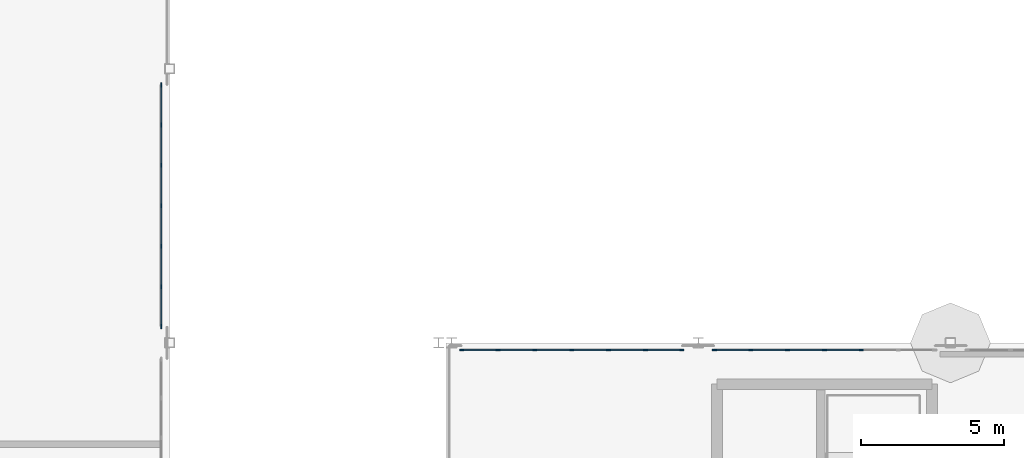
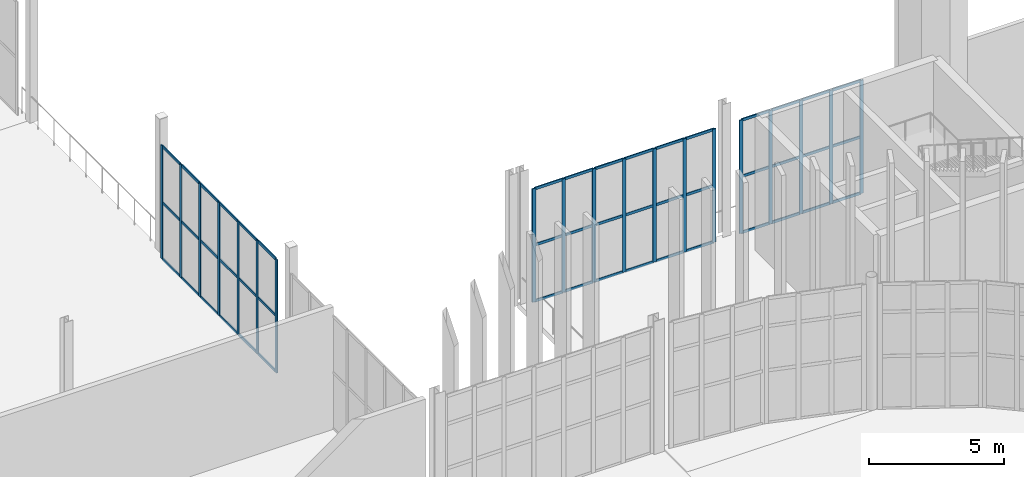
# One storey, part 63 of 139: 67 members, 3 elements without a shape of their own.
"""IFC4 building model written with IfcOpenShell, lengths in metres."""

from ifc_helpers import new_model, si_unit, direction, frame, origin, origin_2d, place, context, subcontext, project, spatial, rectangle, extrude, material, layer, layer_set, material_profile, profile_set, type_object, element, aggregate, save


model = new_model("IFC4")

# Units and contexts
model_context = context("Model", 3, precision=1e-05, world=origin(), true_north=direction((0.0, 1.0)))
body_context = subcontext(model_context, "Body", "Model", "MODEL_VIEW")
ifc_project = project(units=[si_unit("LENGTHUNIT", "METRE"), si_unit("AREAUNIT", "SQUARE_METRE"), si_unit("VOLUMEUNIT", "CUBIC_METRE"), si_unit("PLANEANGLEUNIT", "RADIAN"), si_unit("MASSUNIT", "GRAM", prefix="KILO")], contexts=[model_context])

# Site, building, storey
site_placement = place(None, origin())
site = spatial("IfcSite", under=ifc_project, at=site_placement, CompositionType="ELEMENT")
building_placement = place(site_placement, origin())
building = spatial("IfcBuilding", under=site, at=building_placement, Name="Yeouljin Market Hall", CompositionType="ELEMENT")
storey_placement = place(building_placement, origin())
storey = spatial("IfcBuildingStorey", under=building, at=storey_placement, Name="L00", CompositionType="ELEMENT", Elevation=0.0)

# Curtain wall, members
ifc_material_1 = material(Name="Thermally Broken Aluminium", Category="aluminium")
ifc_layer = layer(ifc_material_1, 0.14990234375)
ifc_layer_set = layer_set([ifc_layer], Name="Thermally Broken Aluminium")
curtain_wall_type = type_object("IfcCurtainWallType", Name="CW_WingStorefront_System", PredefinedType="USERDEFINED", material=ifc_layer_set)
curtain_wall_1_placement = place(storey_placement, origin())
curtain_wall_1 = element("IfcCurtainWall", 1, at=curtain_wall_1_placement, inside=storey, type_object=curtain_wall_type, Name="Curtain wall CW-CRT-L00-09", ObjectType="CURTAIN WALL", PredefinedType="USERDEFINED")
ifc_material_2 = material(Name="Thermally Broken Aluminium", Category="aluminium")
ifc_material_profile_1 = material_profile(ifc_material_2, rectangle(XDim=0.048095703125, YDim=0.14990234375, at=origin_2d()), Name="CW-MULL-48x150")
ifc_profile_set_1 = profile_set([ifc_material_profile_1], Name="Thermally Broken Aluminium")
member_type_1 = type_object("IfcMemberType", Name="CWMullion_48x150", PredefinedType="MULLION", material=ifc_profile_set_1)
member_1_placement = place(storey_placement, frame((141.6240234375, 88.550048828125, 0.0), z_axis=(0.0, 0.0, 1.0), x_axis=(0.0, 1.0, 0.0)))
member_1 = element("IfcMember", 2, at=member_1_placement, type_object=member_type_1, Name="CW-04 mullion 1", PredefinedType="MULLION", context=body_context, shape_type="SweptSolid", body=[
    extrude(rectangle(XDim=0.048095703125, YDim=0.14990234375, at=origin_2d()), origin(), (0.0, 0.0, 1.0), 5.1201171875),
])
member_2_placement = place(storey_placement, frame((142.8916015625, 88.550048828125, 0.0), z_axis=(0.0, 0.0, 1.0), x_axis=(0.0, 1.0, 0.0)))
member_2 = element("IfcMember", 3, at=member_2_placement, type_object=member_type_1, Name="CW-04 mullion 2", PredefinedType="MULLION", context=body_context, shape_type="SweptSolid", body=[
    extrude(rectangle(XDim=0.048095703125, YDim=0.14990234375, at=origin_2d()), origin(), (0.0, 0.0, 1.0), 5.1201171875),
])
member_3_placement = place(storey_placement, frame((144.183349609375, 88.550048828125, 0.0), z_axis=(0.0, 0.0, 1.0), x_axis=(0.0, 1.0, 0.0)))
member_3 = element("IfcMember", 4, at=member_3_placement, type_object=member_type_1, Name="CW-04 mullion 3", PredefinedType="MULLION", context=body_context, shape_type="SweptSolid", body=[
    extrude(rectangle(XDim=0.048095703125, YDim=0.14990234375, at=origin_2d()), origin(), (0.0, 0.0, 1.0), 5.1201171875),
])
member_4_placement = place(storey_placement, frame((145.47509765625, 88.550048828125, 0.0), z_axis=(0.0, 0.0, 1.0), x_axis=(0.0, 1.0, 0.0)))
member_4 = element("IfcMember", 5, at=member_4_placement, type_object=member_type_1, Name="CW-04 mullion 4", PredefinedType="MULLION", context=body_context, shape_type="SweptSolid", body=[
    extrude(rectangle(XDim=0.048095703125, YDim=0.14990234375, at=origin_2d()), origin(), (0.0, 0.0, 1.0), 5.1201171875),
])
member_5_placement = place(storey_placement, frame((146.7666015625, 88.550048828125, 0.0), z_axis=(0.0, 0.0, 1.0), x_axis=(0.0, 1.0, 0.0)))
member_5 = element("IfcMember", 6, at=member_5_placement, type_object=member_type_1, Name="CW-04 mullion 5", PredefinedType="MULLION", context=body_context, shape_type="SweptSolid", body=[
    extrude(rectangle(XDim=0.048095703125, YDim=0.14990234375, at=origin_2d()), origin(), (0.0, 0.0, 1.0), 5.1201171875),
])
member_6_placement = place(storey_placement, frame((148.058349609375, 88.550048828125, 0.0), z_axis=(0.0, 0.0, 1.0), x_axis=(0.0, 1.0, 0.0)))
member_6 = element("IfcMember", 7, at=member_6_placement, type_object=member_type_1, Name="CW-04 mullion 6", PredefinedType="MULLION", context=body_context, shape_type="SweptSolid", body=[
    extrude(rectangle(XDim=0.048095703125, YDim=0.14990234375, at=origin_2d()), origin(), (0.0, 0.0, 1.0), 5.1201171875),
])
member_7_placement = place(storey_placement, frame((149.325927734375, 88.550048828125, 0.0), z_axis=(0.0, 0.0, 1.0), x_axis=(0.0, 1.0, 0.0)))
member_7 = element("IfcMember", 8, at=member_7_placement, type_object=member_type_1, Name="CW-04 mullion 7", PredefinedType="MULLION", context=body_context, shape_type="SweptSolid", body=[
    extrude(rectangle(XDim=0.048095703125, YDim=0.14990234375, at=origin_2d()), origin(), (0.0, 0.0, 1.0), 5.1201171875),
])

curtain_wall_2_placement = place(storey_placement, origin())
curtain_wall_2 = element("IfcCurtainWall", 9, at=curtain_wall_2_placement, inside=storey, type_object=curtain_wall_type, Name="Curtain wall CW-CRT-L00-10", ObjectType="CURTAIN WALL", PredefinedType="USERDEFINED")
member_8_placement = place(storey_placement, frame((150.47412109375, 88.550048828125, 0.0), z_axis=(0.0, 0.0, 1.0), x_axis=(0.0, 1.0, 0.0)))
member_8 = element("IfcMember", 10, at=member_8_placement, type_object=member_type_1, Name="CW-04 mullion 1", PredefinedType="MULLION", context=body_context, shape_type="SweptSolid", body=[
    extrude(rectangle(XDim=0.048095703125, YDim=0.14990234375, at=origin_2d()), origin(), (0.0, 0.0, 1.0), 5.1201171875),
])
member_9_placement = place(storey_placement, frame((151.74169921875, 88.550048828125, 0.0), z_axis=(0.0, 0.0, 1.0), x_axis=(0.0, 1.0, 0.0)))
member_9 = element("IfcMember", 11, at=member_9_placement, type_object=member_type_1, Name="CW-04 mullion 2", PredefinedType="MULLION", context=body_context, shape_type="SweptSolid", body=[
    extrude(rectangle(XDim=0.048095703125, YDim=0.14990234375, at=origin_2d()), origin(), (0.0, 0.0, 1.0), 5.1201171875),
])
member_10_placement = place(storey_placement, frame((153.033447265625, 88.550048828125, 0.0), z_axis=(0.0, 0.0, 1.0), x_axis=(0.0, 1.0, 0.0)))
member_10 = element("IfcMember", 12, at=member_10_placement, type_object=member_type_1, Name="CW-04 mullion 3", PredefinedType="MULLION", context=body_context, shape_type="SweptSolid", body=[
    extrude(rectangle(XDim=0.048095703125, YDim=0.14990234375, at=origin_2d()), origin(), (0.0, 0.0, 1.0), 5.1201171875),
])
member_11_placement = place(storey_placement, frame((154.324951171875, 88.550048828125, 0.0), z_axis=(0.0, 0.0, 1.0), x_axis=(0.0, 1.0, 0.0)))
member_11 = element("IfcMember", 13, at=member_11_placement, type_object=member_type_1, Name="CW-04 mullion 4", PredefinedType="MULLION", context=body_context, shape_type="SweptSolid", body=[
    extrude(rectangle(XDim=0.048095703125, YDim=0.14990234375, at=origin_2d()), origin(), (0.0, 0.0, 1.0), 5.1201171875),
])
member_12_placement = place(storey_placement, frame((155.61669921875, 88.550048828125, 0.0), z_axis=(0.0, 0.0, 1.0), x_axis=(0.0, 1.0, 0.0)))
member_12 = element("IfcMember", 14, at=member_12_placement, type_object=member_type_1, Name="CW-04 mullion 5", PredefinedType="MULLION", context=body_context, shape_type="SweptSolid", body=[
    extrude(rectangle(XDim=0.048095703125, YDim=0.14990234375, at=origin_2d()), origin(), (0.0, 0.0, 1.0), 5.1201171875),
])

curtain_wall_3_placement = place(storey_placement, origin())
curtain_wall_3 = element("IfcCurtainWall", 15, at=curtain_wall_3_placement, inside=storey, type_object=curtain_wall_type, Name="Curtain wall CW-CRT-L00-19", ObjectType="CURTAIN WALL", PredefinedType="USERDEFINED")
member_13_placement = place(storey_placement, frame((131.10009765625, 97.825927734375, 0.0), z_axis=(0.0, 0.0, 1.0), x_axis=(1.0, 0.0, 0.0)))
member_13 = element("IfcMember", 16, at=member_13_placement, type_object=member_type_1, Name="CW-04 mullion 1", PredefinedType="MULLION", context=body_context, shape_type="SweptSolid", body=[
    extrude(rectangle(XDim=0.048095703125, YDim=0.14990234375, at=origin_2d()), origin(), (0.0, 0.0, 1.0), 5.1201171875),
])
member_14_placement = place(storey_placement, frame((131.10009765625, 96.433349609375, 0.0), z_axis=(0.0, 0.0, 1.0), x_axis=(1.0, 0.0, 0.0)))
member_14 = element("IfcMember", 17, at=member_14_placement, type_object=member_type_1, Name="CW-04 mullion 2", PredefinedType="MULLION", context=body_context, shape_type="SweptSolid", body=[
    extrude(rectangle(XDim=0.048095703125, YDim=0.14990234375, at=origin_2d()), origin(), (0.0, 0.0, 1.0), 5.1201171875),
])
member_15_placement = place(storey_placement, frame((131.10009765625, 95.0166015625, 0.0), z_axis=(0.0, 0.0, 1.0), x_axis=(1.0, 0.0, 0.0)))
member_15 = element("IfcMember", 18, at=member_15_placement, type_object=member_type_1, Name="CW-04 mullion 3", PredefinedType="MULLION", context=body_context, shape_type="SweptSolid", body=[
    extrude(rectangle(XDim=0.048095703125, YDim=0.14990234375, at=origin_2d()), origin(), (0.0, 0.0, 1.0), 5.1201171875),
])
member_16_placement = place(storey_placement, frame((131.10009765625, 93.60009765625, 0.0), z_axis=(0.0, 0.0, 1.0), x_axis=(1.0, 0.0, 0.0)))
member_16 = element("IfcMember", 19, at=member_16_placement, type_object=member_type_1, Name="CW-04 mullion 4", PredefinedType="MULLION", context=body_context, shape_type="SweptSolid", body=[
    extrude(rectangle(XDim=0.048095703125, YDim=0.14990234375, at=origin_2d()), origin(), (0.0, 0.0, 1.0), 5.1201171875),
])
member_17_placement = place(storey_placement, frame((131.10009765625, 92.183349609375, 0.0), z_axis=(0.0, 0.0, 1.0), x_axis=(1.0, 0.0, 0.0)))
member_17 = element("IfcMember", 20, at=member_17_placement, type_object=member_type_1, Name="CW-04 mullion 5", PredefinedType="MULLION", context=body_context, shape_type="SweptSolid", body=[
    extrude(rectangle(XDim=0.048095703125, YDim=0.14990234375, at=origin_2d()), origin(), (0.0, 0.0, 1.0), 5.1201171875),
])
member_18_placement = place(storey_placement, frame((131.10009765625, 90.7666015625, 0.0), z_axis=(0.0, 0.0, 1.0), x_axis=(1.0, 0.0, 0.0)))
member_18 = element("IfcMember", 21, at=member_18_placement, type_object=member_type_1, Name="CW-04 mullion 6", PredefinedType="MULLION", context=body_context, shape_type="SweptSolid", body=[
    extrude(rectangle(XDim=0.048095703125, YDim=0.14990234375, at=origin_2d()), origin(), (0.0, 0.0, 1.0), 5.1201171875),
])
member_19_placement = place(storey_placement, frame((131.10009765625, 89.3740234375, 0.0), z_axis=(0.0, 0.0, 1.0), x_axis=(1.0, 0.0, 0.0)))
member_19 = element("IfcMember", 22, at=member_19_placement, type_object=member_type_1, Name="CW-04 mullion 7", PredefinedType="MULLION", context=body_context, shape_type="SweptSolid", body=[
    extrude(rectangle(XDim=0.048095703125, YDim=0.14990234375, at=origin_2d()), origin(), (0.0, 0.0, 1.0), 5.1201171875),
])

# Member
ifc_material_3 = material(Name="Thermally Broken Aluminium", Category="aluminium")
ifc_material_profile_2 = material_profile(ifc_material_3, rectangle(XDim=0.048095703125, YDim=0.1201171875, at=origin_2d()), Name="CW-TRAN-48x120")
ifc_profile_set_2 = profile_set([ifc_material_profile_2], Name="Thermally Broken Aluminium")
member_type_2 = type_object("IfcMemberType", Name="CWTransom_48x120", PredefinedType="USERDEFINED", material=ifc_profile_set_2)
member_20_placement = place(storey_placement, frame((141.64794921875, 88.550048828125, 0.02392578125), z_axis=(1.0, 0.0, 0.0), x_axis=(0.0, 1.0, 0.0)))
member_20 = element("IfcMember", 23, at=member_20_placement, type_object=member_type_2, Name="CW-04 transom 1.1", ObjectType="TRANSOM", PredefinedType="USERDEFINED", context=body_context, shape_type="SweptSolid", body=[
    extrude(rectangle(XDim=0.048095703125, YDim=0.1201171875, at=origin_2d()), origin(), (0.0, 0.0, 1.0), 1.2197265625),
])

member_21_placement = place(storey_placement, frame((141.64794921875, 88.550048828125, 2.56005859375), z_axis=(1.0, 0.0, 0.0), x_axis=(0.0, 1.0, 0.0)))
member_21 = element("IfcMember", 24, at=member_21_placement, type_object=member_type_2, Name="CW-04 transom 1.2", ObjectType="TRANSOM", PredefinedType="USERDEFINED", context=body_context, shape_type="SweptSolid", body=[
    extrude(rectangle(XDim=0.048095703125, YDim=0.1201171875, at=origin_2d()), origin(), (0.0, 0.0, 1.0), 1.2197265625),
])

member_22_placement = place(storey_placement, frame((141.64794921875, 88.550048828125, 5.095947265625), z_axis=(1.0, 0.0, 0.0), x_axis=(0.0, 1.0, 0.0)))
member_22 = element("IfcMember", 25, at=member_22_placement, type_object=member_type_2, Name="CW-04 transom 1.3", ObjectType="TRANSOM", PredefinedType="USERDEFINED", context=body_context, shape_type="SweptSolid", body=[
    extrude(rectangle(XDim=0.048095703125, YDim=0.1201171875, at=origin_2d()), origin(), (0.0, 0.0, 1.0), 1.2197265625),
])

member_23_placement = place(storey_placement, frame((142.915771484375, 88.550048828125, 0.02392578125), z_axis=(1.0, 0.0, 0.0), x_axis=(0.0, 1.0, 0.0)))
member_23 = element("IfcMember", 26, at=member_23_placement, type_object=member_type_2, Name="CW-04 transom 2.1", ObjectType="TRANSOM", PredefinedType="USERDEFINED", context=body_context, shape_type="SweptSolid", body=[
    extrude(rectangle(XDim=0.048095703125, YDim=0.1201171875, at=origin_2d()), origin(), (0.0, 0.0, 1.0), 1.24365234375),
])

member_24_placement = place(storey_placement, frame((142.915771484375, 88.550048828125, 2.56005859375), z_axis=(1.0, 0.0, 0.0), x_axis=(0.0, 1.0, 0.0)))
member_24 = element("IfcMember", 27, at=member_24_placement, type_object=member_type_2, Name="CW-04 transom 2.2", ObjectType="TRANSOM", PredefinedType="USERDEFINED", context=body_context, shape_type="SweptSolid", body=[
    extrude(rectangle(XDim=0.048095703125, YDim=0.1201171875, at=origin_2d()), origin(), (0.0, 0.0, 1.0), 1.24365234375),
])

member_25_placement = place(storey_placement, frame((142.915771484375, 88.550048828125, 5.095947265625), z_axis=(1.0, 0.0, 0.0), x_axis=(0.0, 1.0, 0.0)))
member_25 = element("IfcMember", 28, at=member_25_placement, type_object=member_type_2, Name="CW-04 transom 2.3", ObjectType="TRANSOM", PredefinedType="USERDEFINED", context=body_context, shape_type="SweptSolid", body=[
    extrude(rectangle(XDim=0.048095703125, YDim=0.1201171875, at=origin_2d()), origin(), (0.0, 0.0, 1.0), 1.24365234375),
])

member_26_placement = place(storey_placement, frame((144.207275390625, 88.550048828125, 0.02392578125), z_axis=(1.0, 0.0, 0.0), x_axis=(0.0, 1.0, 0.0)))
member_26 = element("IfcMember", 29, at=member_26_placement, type_object=member_type_2, Name="CW-04 transom 3.1", ObjectType="TRANSOM", PredefinedType="USERDEFINED", context=body_context, shape_type="SweptSolid", body=[
    extrude(rectangle(XDim=0.048095703125, YDim=0.1201171875, at=origin_2d()), origin(), (0.0, 0.0, 1.0), 1.24365234375),
])

member_27_placement = place(storey_placement, frame((144.207275390625, 88.550048828125, 2.56005859375), z_axis=(1.0, 0.0, 0.0), x_axis=(0.0, 1.0, 0.0)))
member_27 = element("IfcMember", 30, at=member_27_placement, type_object=member_type_2, Name="CW-04 transom 3.2", ObjectType="TRANSOM", PredefinedType="USERDEFINED", context=body_context, shape_type="SweptSolid", body=[
    extrude(rectangle(XDim=0.048095703125, YDim=0.1201171875, at=origin_2d()), origin(), (0.0, 0.0, 1.0), 1.24365234375),
])

member_28_placement = place(storey_placement, frame((144.207275390625, 88.550048828125, 5.095947265625), z_axis=(1.0, 0.0, 0.0), x_axis=(0.0, 1.0, 0.0)))
member_28 = element("IfcMember", 31, at=member_28_placement, type_object=member_type_2, Name="CW-04 transom 3.3", ObjectType="TRANSOM", PredefinedType="USERDEFINED", context=body_context, shape_type="SweptSolid", body=[
    extrude(rectangle(XDim=0.048095703125, YDim=0.1201171875, at=origin_2d()), origin(), (0.0, 0.0, 1.0), 1.24365234375),
])

member_29_placement = place(storey_placement, frame((145.4990234375, 88.550048828125, 0.02392578125), z_axis=(1.0, 0.0, 0.0), x_axis=(0.0, 1.0, 0.0)))
member_29 = element("IfcMember", 32, at=member_29_placement, type_object=member_type_2, Name="CW-04 transom 4.1", ObjectType="TRANSOM", PredefinedType="USERDEFINED", context=body_context, shape_type="SweptSolid", body=[
    extrude(rectangle(XDim=0.048095703125, YDim=0.1201171875, at=origin_2d()), origin(), (0.0, 0.0, 1.0), 1.24365234375),
])

member_30_placement = place(storey_placement, frame((145.4990234375, 88.550048828125, 2.56005859375), z_axis=(1.0, 0.0, 0.0), x_axis=(0.0, 1.0, 0.0)))
member_30 = element("IfcMember", 33, at=member_30_placement, type_object=member_type_2, Name="CW-04 transom 4.2", ObjectType="TRANSOM", PredefinedType="USERDEFINED", context=body_context, shape_type="SweptSolid", body=[
    extrude(rectangle(XDim=0.048095703125, YDim=0.1201171875, at=origin_2d()), origin(), (0.0, 0.0, 1.0), 1.24365234375),
])

member_31_placement = place(storey_placement, frame((145.4990234375, 88.550048828125, 5.095947265625), z_axis=(1.0, 0.0, 0.0), x_axis=(0.0, 1.0, 0.0)))
member_31 = element("IfcMember", 34, at=member_31_placement, type_object=member_type_2, Name="CW-04 transom 4.3", ObjectType="TRANSOM", PredefinedType="USERDEFINED", context=body_context, shape_type="SweptSolid", body=[
    extrude(rectangle(XDim=0.048095703125, YDim=0.1201171875, at=origin_2d()), origin(), (0.0, 0.0, 1.0), 1.24365234375),
])

member_32_placement = place(storey_placement, frame((146.790771484375, 88.550048828125, 0.02392578125), z_axis=(1.0, 0.0, 0.0), x_axis=(0.0, 1.0, 0.0)))
member_32 = element("IfcMember", 35, at=member_32_placement, type_object=member_type_2, Name="CW-04 transom 5.1", ObjectType="TRANSOM", PredefinedType="USERDEFINED", context=body_context, shape_type="SweptSolid", body=[
    extrude(rectangle(XDim=0.048095703125, YDim=0.1201171875, at=origin_2d()), origin(), (0.0, 0.0, 1.0), 1.24365234375),
])

member_33_placement = place(storey_placement, frame((146.790771484375, 88.550048828125, 2.56005859375), z_axis=(1.0, 0.0, 0.0), x_axis=(0.0, 1.0, 0.0)))
member_33 = element("IfcMember", 36, at=member_33_placement, type_object=member_type_2, Name="CW-04 transom 5.2", ObjectType="TRANSOM", PredefinedType="USERDEFINED", context=body_context, shape_type="SweptSolid", body=[
    extrude(rectangle(XDim=0.048095703125, YDim=0.1201171875, at=origin_2d()), origin(), (0.0, 0.0, 1.0), 1.24365234375),
])

member_34_placement = place(storey_placement, frame((146.790771484375, 88.550048828125, 5.095947265625), z_axis=(1.0, 0.0, 0.0), x_axis=(0.0, 1.0, 0.0)))
member_34 = element("IfcMember", 37, at=member_34_placement, type_object=member_type_2, Name="CW-04 transom 5.3", ObjectType="TRANSOM", PredefinedType="USERDEFINED", context=body_context, shape_type="SweptSolid", body=[
    extrude(rectangle(XDim=0.048095703125, YDim=0.1201171875, at=origin_2d()), origin(), (0.0, 0.0, 1.0), 1.24365234375),
])

member_35_placement = place(storey_placement, frame((148.082275390625, 88.550048828125, 0.02392578125), z_axis=(1.0, 0.0, 0.0), x_axis=(0.0, 1.0, 0.0)))
member_35 = element("IfcMember", 38, at=member_35_placement, type_object=member_type_2, Name="CW-04 transom 6.1", ObjectType="TRANSOM", PredefinedType="USERDEFINED", context=body_context, shape_type="SweptSolid", body=[
    extrude(rectangle(XDim=0.048095703125, YDim=0.1201171875, at=origin_2d()), origin(), (0.0, 0.0, 1.0), 1.2197265625),
])

member_36_placement = place(storey_placement, frame((148.082275390625, 88.550048828125, 2.56005859375), z_axis=(1.0, 0.0, 0.0), x_axis=(0.0, 1.0, 0.0)))
member_36 = element("IfcMember", 39, at=member_36_placement, type_object=member_type_2, Name="CW-04 transom 6.2", ObjectType="TRANSOM", PredefinedType="USERDEFINED", context=body_context, shape_type="SweptSolid", body=[
    extrude(rectangle(XDim=0.048095703125, YDim=0.1201171875, at=origin_2d()), origin(), (0.0, 0.0, 1.0), 1.2197265625),
])

member_37_placement = place(storey_placement, frame((148.082275390625, 88.550048828125, 5.095947265625), z_axis=(1.0, 0.0, 0.0), x_axis=(0.0, 1.0, 0.0)))
member_37 = element("IfcMember", 40, at=member_37_placement, type_object=member_type_2, Name="CW-04 transom 6.3", ObjectType="TRANSOM", PredefinedType="USERDEFINED", context=body_context, shape_type="SweptSolid", body=[
    extrude(rectangle(XDim=0.048095703125, YDim=0.1201171875, at=origin_2d()), origin(), (0.0, 0.0, 1.0), 1.2197265625),
])

aggregate(curtain_wall_1, [member_1, member_2, member_3, member_4, member_5, member_6, member_7, member_20, member_21, member_22, member_23, member_24, member_25, member_26, member_27, member_28, member_29, member_30, member_31, member_32, member_33, member_34, member_35, member_36, member_37])

member_38_placement = place(storey_placement, frame((150.498046875, 88.550048828125, 0.02392578125), z_axis=(1.0, 0.0, 0.0), x_axis=(0.0, 1.0, 0.0)))
member_38 = element("IfcMember", 41, at=member_38_placement, type_object=member_type_2, Name="CW-04 transom 1.1", ObjectType="TRANSOM", PredefinedType="USERDEFINED", context=body_context, shape_type="SweptSolid", body=[
    extrude(rectangle(XDim=0.048095703125, YDim=0.1201171875, at=origin_2d()), origin(), (0.0, 0.0, 1.0), 1.2197265625),
])

member_39_placement = place(storey_placement, frame((150.498046875, 88.550048828125, 2.56005859375), z_axis=(1.0, 0.0, 0.0), x_axis=(0.0, 1.0, 0.0)))
member_39 = element("IfcMember", 42, at=member_39_placement, type_object=member_type_2, Name="CW-04 transom 1.2", ObjectType="TRANSOM", PredefinedType="USERDEFINED", context=body_context, shape_type="SweptSolid", body=[
    extrude(rectangle(XDim=0.048095703125, YDim=0.1201171875, at=origin_2d()), origin(), (0.0, 0.0, 1.0), 1.2197265625),
])

member_40_placement = place(storey_placement, frame((150.498046875, 88.550048828125, 5.095947265625), z_axis=(1.0, 0.0, 0.0), x_axis=(0.0, 1.0, 0.0)))
member_40 = element("IfcMember", 43, at=member_40_placement, type_object=member_type_2, Name="CW-04 transom 1.3", ObjectType="TRANSOM", PredefinedType="USERDEFINED", context=body_context, shape_type="SweptSolid", body=[
    extrude(rectangle(XDim=0.048095703125, YDim=0.1201171875, at=origin_2d()), origin(), (0.0, 0.0, 1.0), 1.2197265625),
])

member_41_placement = place(storey_placement, frame((151.765625, 88.550048828125, 0.02392578125), z_axis=(1.0, 0.0, 0.0), x_axis=(0.0, 1.0, 0.0)))
member_41 = element("IfcMember", 44, at=member_41_placement, type_object=member_type_2, Name="CW-04 transom 2.1", ObjectType="TRANSOM", PredefinedType="USERDEFINED", context=body_context, shape_type="SweptSolid", body=[
    extrude(rectangle(XDim=0.048095703125, YDim=0.1201171875, at=origin_2d()), origin(), (0.0, 0.0, 1.0), 1.24365234375),
])

member_42_placement = place(storey_placement, frame((151.765625, 88.550048828125, 2.56005859375), z_axis=(1.0, 0.0, 0.0), x_axis=(0.0, 1.0, 0.0)))
member_42 = element("IfcMember", 45, at=member_42_placement, type_object=member_type_2, Name="CW-04 transom 2.2", ObjectType="TRANSOM", PredefinedType="USERDEFINED", context=body_context, shape_type="SweptSolid", body=[
    extrude(rectangle(XDim=0.048095703125, YDim=0.1201171875, at=origin_2d()), origin(), (0.0, 0.0, 1.0), 1.24365234375),
])

member_43_placement = place(storey_placement, frame((151.765625, 88.550048828125, 5.095947265625), z_axis=(1.0, 0.0, 0.0), x_axis=(0.0, 1.0, 0.0)))
member_43 = element("IfcMember", 46, at=member_43_placement, type_object=member_type_2, Name="CW-04 transom 2.3", ObjectType="TRANSOM", PredefinedType="USERDEFINED", context=body_context, shape_type="SweptSolid", body=[
    extrude(rectangle(XDim=0.048095703125, YDim=0.1201171875, at=origin_2d()), origin(), (0.0, 0.0, 1.0), 1.24365234375),
])

member_44_placement = place(storey_placement, frame((153.057373046875, 88.550048828125, 0.02392578125), z_axis=(1.0, 0.0, 0.0), x_axis=(0.0, 1.0, 0.0)))
member_44 = element("IfcMember", 47, at=member_44_placement, type_object=member_type_2, Name="CW-04 transom 3.1", ObjectType="TRANSOM", PredefinedType="USERDEFINED", context=body_context, shape_type="SweptSolid", body=[
    extrude(rectangle(XDim=0.048095703125, YDim=0.1201171875, at=origin_2d()), origin(), (0.0, 0.0, 1.0), 1.24365234375),
])

member_45_placement = place(storey_placement, frame((153.057373046875, 88.550048828125, 2.56005859375), z_axis=(1.0, 0.0, 0.0), x_axis=(0.0, 1.0, 0.0)))
member_45 = element("IfcMember", 48, at=member_45_placement, type_object=member_type_2, Name="CW-04 transom 3.2", ObjectType="TRANSOM", PredefinedType="USERDEFINED", context=body_context, shape_type="SweptSolid", body=[
    extrude(rectangle(XDim=0.048095703125, YDim=0.1201171875, at=origin_2d()), origin(), (0.0, 0.0, 1.0), 1.24365234375),
])

member_46_placement = place(storey_placement, frame((153.057373046875, 88.550048828125, 5.095947265625), z_axis=(1.0, 0.0, 0.0), x_axis=(0.0, 1.0, 0.0)))
member_46 = element("IfcMember", 49, at=member_46_placement, type_object=member_type_2, Name="CW-04 transom 3.3", ObjectType="TRANSOM", PredefinedType="USERDEFINED", context=body_context, shape_type="SweptSolid", body=[
    extrude(rectangle(XDim=0.048095703125, YDim=0.1201171875, at=origin_2d()), origin(), (0.0, 0.0, 1.0), 1.24365234375),
])

member_47_placement = place(storey_placement, frame((154.34912109375, 88.550048828125, 0.02392578125), z_axis=(1.0, 0.0, 0.0), x_axis=(0.0, 1.0, 0.0)))
member_47 = element("IfcMember", 50, at=member_47_placement, type_object=member_type_2, Name="CW-04 transom 4.1", ObjectType="TRANSOM", PredefinedType="USERDEFINED", context=body_context, shape_type="SweptSolid", body=[
    extrude(rectangle(XDim=0.048095703125, YDim=0.1201171875, at=origin_2d()), origin(), (0.0, 0.0, 1.0), 1.24365234375),
])

member_48_placement = place(storey_placement, frame((154.34912109375, 88.550048828125, 2.56005859375), z_axis=(1.0, 0.0, 0.0), x_axis=(0.0, 1.0, 0.0)))
member_48 = element("IfcMember", 51, at=member_48_placement, type_object=member_type_2, Name="CW-04 transom 4.2", ObjectType="TRANSOM", PredefinedType="USERDEFINED", context=body_context, shape_type="SweptSolid", body=[
    extrude(rectangle(XDim=0.048095703125, YDim=0.1201171875, at=origin_2d()), origin(), (0.0, 0.0, 1.0), 1.24365234375),
])

member_49_placement = place(storey_placement, frame((154.34912109375, 88.550048828125, 5.095947265625), z_axis=(1.0, 0.0, 0.0), x_axis=(0.0, 1.0, 0.0)))
member_49 = element("IfcMember", 52, at=member_49_placement, type_object=member_type_2, Name="CW-04 transom 4.3", ObjectType="TRANSOM", PredefinedType="USERDEFINED", context=body_context, shape_type="SweptSolid", body=[
    extrude(rectangle(XDim=0.048095703125, YDim=0.1201171875, at=origin_2d()), origin(), (0.0, 0.0, 1.0), 1.24365234375),
])

aggregate(curtain_wall_2, [member_8, member_9, member_10, member_11, member_12, member_38, member_39, member_40, member_41, member_42, member_43, member_44, member_45, member_46, member_47, member_48, member_49])

member_50_placement = place(storey_placement, frame((131.10009765625, 97.802001953125, 0.02392578125), z_axis=(0.0, -1.0, 0.0), x_axis=(1.0, 0.0, 0.0)))
member_50 = element("IfcMember", 53, at=member_50_placement, type_object=member_type_2, Name="CW-04 transom 1.1", ObjectType="TRANSOM", PredefinedType="USERDEFINED", context=body_context, shape_type="SweptSolid", body=[
    extrude(rectangle(XDim=0.048095703125, YDim=0.1201171875, at=origin_2d()), origin(), (0.0, 0.0, 1.0), 1.3447265625),
])

member_51_placement = place(storey_placement, frame((131.10009765625, 97.802001953125, 2.56005859375), z_axis=(0.0, -1.0, 0.0), x_axis=(1.0, 0.0, 0.0)))
member_51 = element("IfcMember", 54, at=member_51_placement, type_object=member_type_2, Name="CW-04 transom 1.2", ObjectType="TRANSOM", PredefinedType="USERDEFINED", context=body_context, shape_type="SweptSolid", body=[
    extrude(rectangle(XDim=0.048095703125, YDim=0.1201171875, at=origin_2d()), origin(), (0.0, 0.0, 1.0), 1.3447265625),
])

member_52_placement = place(storey_placement, frame((131.10009765625, 97.802001953125, 5.095947265625), z_axis=(0.0, -1.0, 0.0), x_axis=(1.0, 0.0, 0.0)))
member_52 = element("IfcMember", 55, at=member_52_placement, type_object=member_type_2, Name="CW-04 transom 1.3", ObjectType="TRANSOM", PredefinedType="USERDEFINED", context=body_context, shape_type="SweptSolid", body=[
    extrude(rectangle(XDim=0.048095703125, YDim=0.1201171875, at=origin_2d()), origin(), (0.0, 0.0, 1.0), 1.3447265625),
])

member_53_placement = place(storey_placement, frame((131.10009765625, 96.409423828125, 0.02392578125), z_axis=(0.0, -1.0, 0.0), x_axis=(1.0, 0.0, 0.0)))
member_53 = element("IfcMember", 56, at=member_53_placement, type_object=member_type_2, Name="CW-04 transom 2.1", ObjectType="TRANSOM", PredefinedType="USERDEFINED", context=body_context, shape_type="SweptSolid", body=[
    extrude(rectangle(XDim=0.048095703125, YDim=0.1201171875, at=origin_2d()), origin(), (0.0, 0.0, 1.0), 1.36865234375),
])

member_54_placement = place(storey_placement, frame((131.10009765625, 96.409423828125, 2.56005859375), z_axis=(0.0, -1.0, 0.0), x_axis=(1.0, 0.0, 0.0)))
member_54 = element("IfcMember", 57, at=member_54_placement, type_object=member_type_2, Name="CW-04 transom 2.2", ObjectType="TRANSOM", PredefinedType="USERDEFINED", context=body_context, shape_type="SweptSolid", body=[
    extrude(rectangle(XDim=0.048095703125, YDim=0.1201171875, at=origin_2d()), origin(), (0.0, 0.0, 1.0), 1.36865234375),
])

member_55_placement = place(storey_placement, frame((131.10009765625, 96.409423828125, 5.095947265625), z_axis=(0.0, -1.0, 0.0), x_axis=(1.0, 0.0, 0.0)))
member_55 = element("IfcMember", 58, at=member_55_placement, type_object=member_type_2, Name="CW-04 transom 2.3", ObjectType="TRANSOM", PredefinedType="USERDEFINED", context=body_context, shape_type="SweptSolid", body=[
    extrude(rectangle(XDim=0.048095703125, YDim=0.1201171875, at=origin_2d()), origin(), (0.0, 0.0, 1.0), 1.36865234375),
])

member_56_placement = place(storey_placement, frame((131.10009765625, 94.99267578125, 0.02392578125), z_axis=(0.0, -1.0, 0.0), x_axis=(1.0, 0.0, 0.0)))
member_56 = element("IfcMember", 59, at=member_56_placement, type_object=member_type_2, Name="CW-04 transom 3.1", ObjectType="TRANSOM", PredefinedType="USERDEFINED", context=body_context, shape_type="SweptSolid", body=[
    extrude(rectangle(XDim=0.048095703125, YDim=0.1201171875, at=origin_2d()), origin(), (0.0, 0.0, 1.0), 1.36865234375),
])

member_57_placement = place(storey_placement, frame((131.10009765625, 94.99267578125, 2.56005859375), z_axis=(0.0, -1.0, 0.0), x_axis=(1.0, 0.0, 0.0)))
member_57 = element("IfcMember", 60, at=member_57_placement, type_object=member_type_2, Name="CW-04 transom 3.2", ObjectType="TRANSOM", PredefinedType="USERDEFINED", context=body_context, shape_type="SweptSolid", body=[
    extrude(rectangle(XDim=0.048095703125, YDim=0.1201171875, at=origin_2d()), origin(), (0.0, 0.0, 1.0), 1.36865234375),
])

member_58_placement = place(storey_placement, frame((131.10009765625, 94.99267578125, 5.095947265625), z_axis=(0.0, -1.0, 0.0), x_axis=(1.0, 0.0, 0.0)))
member_58 = element("IfcMember", 61, at=member_58_placement, type_object=member_type_2, Name="CW-04 transom 3.3", ObjectType="TRANSOM", PredefinedType="USERDEFINED", context=body_context, shape_type="SweptSolid", body=[
    extrude(rectangle(XDim=0.048095703125, YDim=0.1201171875, at=origin_2d()), origin(), (0.0, 0.0, 1.0), 1.36865234375),
])

member_59_placement = place(storey_placement, frame((131.10009765625, 93.575927734375, 0.02392578125), z_axis=(0.0, -1.0, 0.0), x_axis=(1.0, 0.0, 0.0)))
member_59 = element("IfcMember", 62, at=member_59_placement, type_object=member_type_2, Name="CW-04 transom 4.1", ObjectType="TRANSOM", PredefinedType="USERDEFINED", context=body_context, shape_type="SweptSolid", body=[
    extrude(rectangle(XDim=0.048095703125, YDim=0.1201171875, at=origin_2d()), origin(), (0.0, 0.0, 1.0), 1.36865234375),
])

member_60_placement = place(storey_placement, frame((131.10009765625, 93.575927734375, 2.56005859375), z_axis=(0.0, -1.0, 0.0), x_axis=(1.0, 0.0, 0.0)))
member_60 = element("IfcMember", 63, at=member_60_placement, type_object=member_type_2, Name="CW-04 transom 4.2", ObjectType="TRANSOM", PredefinedType="USERDEFINED", context=body_context, shape_type="SweptSolid", body=[
    extrude(rectangle(XDim=0.048095703125, YDim=0.1201171875, at=origin_2d()), origin(), (0.0, 0.0, 1.0), 1.36865234375),
])

member_61_placement = place(storey_placement, frame((131.10009765625, 93.575927734375, 5.095947265625), z_axis=(0.0, -1.0, 0.0), x_axis=(1.0, 0.0, 0.0)))
member_61 = element("IfcMember", 64, at=member_61_placement, type_object=member_type_2, Name="CW-04 transom 4.3", ObjectType="TRANSOM", PredefinedType="USERDEFINED", context=body_context, shape_type="SweptSolid", body=[
    extrude(rectangle(XDim=0.048095703125, YDim=0.1201171875, at=origin_2d()), origin(), (0.0, 0.0, 1.0), 1.36865234375),
])

member_62_placement = place(storey_placement, frame((131.10009765625, 92.159423828125, 0.02392578125), z_axis=(0.0, -1.0, 0.0), x_axis=(1.0, 0.0, 0.0)))
member_62 = element("IfcMember", 65, at=member_62_placement, type_object=member_type_2, Name="CW-04 transom 5.1", ObjectType="TRANSOM", PredefinedType="USERDEFINED", context=body_context, shape_type="SweptSolid", body=[
    extrude(rectangle(XDim=0.048095703125, YDim=0.1201171875, at=origin_2d()), origin(), (0.0, 0.0, 1.0), 1.36865234375),
])

member_63_placement = place(storey_placement, frame((131.10009765625, 92.159423828125, 2.56005859375), z_axis=(0.0, -1.0, 0.0), x_axis=(1.0, 0.0, 0.0)))
member_63 = element("IfcMember", 66, at=member_63_placement, type_object=member_type_2, Name="CW-04 transom 5.2", ObjectType="TRANSOM", PredefinedType="USERDEFINED", context=body_context, shape_type="SweptSolid", body=[
    extrude(rectangle(XDim=0.048095703125, YDim=0.1201171875, at=origin_2d()), origin(), (0.0, 0.0, 1.0), 1.36865234375),
])

member_64_placement = place(storey_placement, frame((131.10009765625, 92.159423828125, 5.095947265625), z_axis=(0.0, -1.0, 0.0), x_axis=(1.0, 0.0, 0.0)))
member_64 = element("IfcMember", 67, at=member_64_placement, type_object=member_type_2, Name="CW-04 transom 5.3", ObjectType="TRANSOM", PredefinedType="USERDEFINED", context=body_context, shape_type="SweptSolid", body=[
    extrude(rectangle(XDim=0.048095703125, YDim=0.1201171875, at=origin_2d()), origin(), (0.0, 0.0, 1.0), 1.36865234375),
])

member_65_placement = place(storey_placement, frame((131.10009765625, 90.74267578125, 0.02392578125), z_axis=(0.0, -1.0, 0.0), x_axis=(1.0, 0.0, 0.0)))
member_65 = element("IfcMember", 68, at=member_65_placement, type_object=member_type_2, Name="CW-04 transom 6.1", ObjectType="TRANSOM", PredefinedType="USERDEFINED", context=body_context, shape_type="SweptSolid", body=[
    extrude(rectangle(XDim=0.048095703125, YDim=0.1201171875, at=origin_2d()), origin(), (0.0, 0.0, 1.0), 1.3447265625),
])

member_66_placement = place(storey_placement, frame((131.10009765625, 90.74267578125, 2.56005859375), z_axis=(0.0, -1.0, 0.0), x_axis=(1.0, 0.0, 0.0)))
member_66 = element("IfcMember", 69, at=member_66_placement, type_object=member_type_2, Name="CW-04 transom 6.2", ObjectType="TRANSOM", PredefinedType="USERDEFINED", context=body_context, shape_type="SweptSolid", body=[
    extrude(rectangle(XDim=0.048095703125, YDim=0.1201171875, at=origin_2d()), origin(), (0.0, 0.0, 1.0), 1.3447265625),
])

member_67_placement = place(storey_placement, frame((131.10009765625, 90.74267578125, 5.095947265625), z_axis=(0.0, -1.0, 0.0), x_axis=(1.0, 0.0, 0.0)))
member_67 = element("IfcMember", 70, at=member_67_placement, type_object=member_type_2, Name="CW-04 transom 6.3", ObjectType="TRANSOM", PredefinedType="USERDEFINED", context=body_context, shape_type="SweptSolid", body=[
    extrude(rectangle(XDim=0.048095703125, YDim=0.1201171875, at=origin_2d()), origin(), (0.0, 0.0, 1.0), 1.3447265625),
])

aggregate(curtain_wall_3, [member_13, member_14, member_15, member_16, member_17, member_18, member_19, member_50, member_51, member_52, member_53, member_54, member_55, member_56, member_57, member_58, member_59, member_60, member_61, member_62, member_63, member_64, member_65, member_66, member_67])

save(model, "model.ifc")
